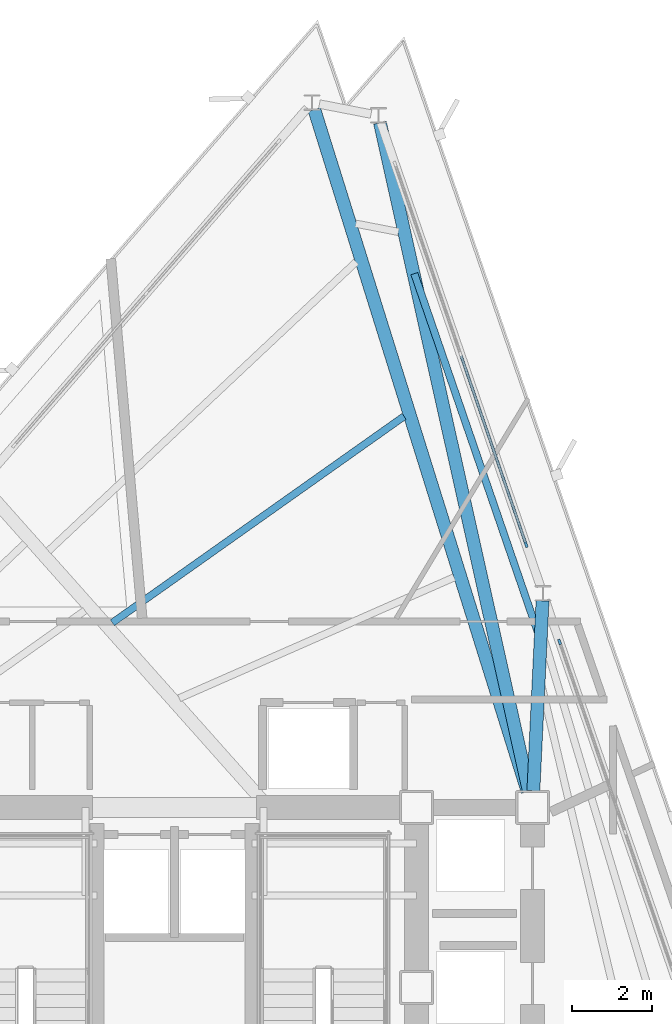
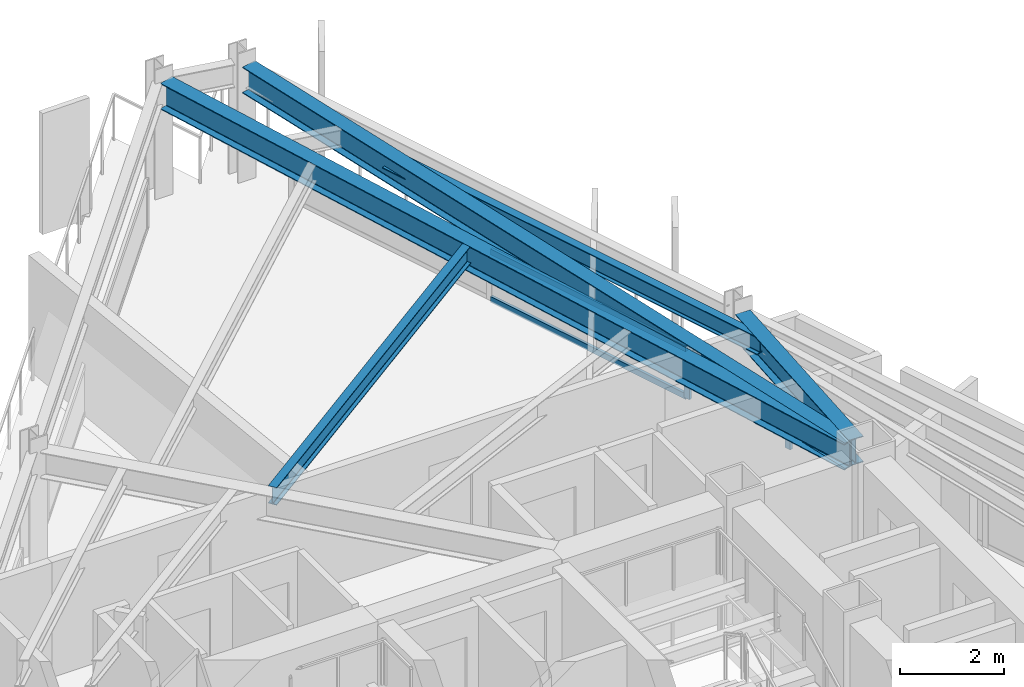
# One storey, part 5 of 14: 5 beams, 4 members, 2 elements without a shape of their own.
"""IFC4 building model written with IfcOpenShell, lengths in metres."""

from ifc_helpers import new_model, si_unit, direction, frame, origin, origin_2d, place, context, subcontext, project, spatial, rectangle, i_section, extrude, material, layer, layer_set, material_profile, profile_set, type_object, element, aggregate, save


model = new_model("IFC4")

# Units and contexts
model_context = context("Model", 3, precision=1e-05, world=origin(), true_north=direction((0.0, 1.0)))
body_context = subcontext(model_context, "Body", "Model", "MODEL_VIEW")
ifc_project = project(units=[si_unit("LENGTHUNIT", "METRE"), si_unit("AREAUNIT", "SQUARE_METRE"), si_unit("VOLUMEUNIT", "CUBIC_METRE"), si_unit("PLANEANGLEUNIT", "RADIAN"), si_unit("MASSUNIT", "GRAM", prefix="KILO")], contexts=[model_context])

# Site, building, storey
site_placement = place(None, origin())
site = spatial("IfcSite", under=ifc_project, at=site_placement, CompositionType="ELEMENT")
building_placement = place(site_placement, origin())
building = spatial("IfcBuilding", under=site, at=building_placement, Name="Rocaltana Carrier Exchange", CompositionType="ELEMENT")
storey_placement = place(building_placement, frame((0.0, 0.0, 168.47998046875)))
storey = spatial("IfcBuildingStorey", under=building, at=storey_placement, Name="L53", CompositionType="ELEMENT", Elevation=168.47998046875)

# Curtain wall, member
ifc_material_1 = material(Name="Aluminium 6063-T6", Category="aluminium")
ifc_layer = layer(ifc_material_1, 0.135009765625)
ifc_layer_set = layer_set([ifc_layer], Name="Aluminium 6063-T6")
curtain_wall_type = type_object("IfcCurtainWallType", Name="Upper-Mid Acoustic Curtain Wall CW-04", PredefinedType="NOTDEFINED", material=ifc_layer_set)
curtain_wall_1_placement = place(storey_placement, origin())
curtain_wall_1 = element("IfcCurtainWall", 1, at=curtain_wall_1_placement, inside=storey, type_object=curtain_wall_type, Name="L53 CW-04 Run CW-L53-F1S2", PredefinedType="NOTDEFINED")
ifc_material_2 = material(Name="Aluminium 6063-T6", Category="aluminium")
ifc_material_profile_1 = material_profile(ifc_material_2, rectangle(XDim=0.06494140625, YDim=0.135009765625, at=origin_2d()), Name="AL-65X135")
ifc_profile_set_1 = profile_set([ifc_material_profile_1], Name="Aluminium 6063-T6")
member_type_1 = type_object("IfcMemberType", Name="CW-04 Mullion AL-65X135", PredefinedType="MULLION", material=ifc_profile_set_1)
member_1_placement = place(storey_placement, frame((9.62548828125, 8.638671875, 0.0), z_axis=(0.0, 0.0, 1.0), x_axis=(-0.945520754562, -0.32556182622, 0.0)))
member_1 = element("IfcMember", 2, at=member_1_placement, type_object=member_type_1, Name="CW-04 mullion 3", PredefinedType="MULLION", context=body_context, shape_type="SweptSolid", body=[
    extrude(rectangle(XDim=0.06494140625, YDim=0.135009765625, at=origin_2d()), origin(), (0.0, 0.0, 1.0), 1.177978515625),
])
aggregate(curtain_wall_1, [member_1])

# Curtain wall, members
curtain_wall_2_placement = place(storey_placement, origin())
curtain_wall_2 = element("IfcCurtainWall", 3, at=curtain_wall_2_placement, inside=storey, type_object=curtain_wall_type, Name="L53 CW-04 Run CW-L53-F1S3", PredefinedType="NOTDEFINED")
member_2_placement = place(storey_placement, frame((8.79052734375, 11.063720703125, 0.0), z_axis=(0.0, 0.0, 1.0), x_axis=(-0.945521800517, -0.325558788464, 0.0)))
member_2 = element("IfcMember", 4, at=member_2_placement, type_object=member_type_1, Name="CW-04 mullion 1", PredefinedType="MULLION", context=body_context, shape_type="SweptSolid", body=[
    extrude(rectangle(XDim=0.06494140625, YDim=0.135009765625, at=origin_2d()), origin(), (0.0, 0.0, 1.0), 1.177978515625),
])
ifc_material_3 = material(Name="Aluminium 6063-T6", Category="aluminium")
ifc_material_profile_2 = material_profile(ifc_material_3, rectangle(XDim=0.06494140625, YDim=0.135009765625, at=origin_2d()), Name="AL-65X135")
ifc_profile_set_2 = profile_set([ifc_material_profile_2], Name="Aluminium 6063-T6")
member_type_2 = type_object("IfcMemberType", Name="CW-04 Transom AL-65X135", PredefinedType="USERDEFINED", material=ifc_profile_set_2)
member_3_placement = place(storey_placement, frame((8.77978515625, 11.094482421875, 0.032470703125), z_axis=(-0.325542462737, 0.945527421578, 0.0), x_axis=(-0.945527421578, -0.325542462737, 0.0)))
member_3 = element("IfcMember", 5, at=member_3_placement, type_object=member_type_2, Name="CW-04 transom 1.1", ObjectType="TRANSOM", PredefinedType="USERDEFINED", context=body_context, shape_type="SweptSolid", body=[
    extrude(rectangle(XDim=0.06494140625, YDim=0.135009765625, at=origin_2d()), origin(), (0.0, 0.0, 1.0), 4.96923828125),
])
member_4_placement = place(storey_placement, frame((8.77978515625, 11.094482421875, 1.1455078125), z_axis=(-0.325542462737, 0.945527421578, 0.0), x_axis=(-0.945527421578, -0.325542462737, 0.0)))
member_4 = element("IfcMember", 6, at=member_4_placement, type_object=member_type_2, Name="CW-04 transom 1.2", ObjectType="TRANSOM", PredefinedType="USERDEFINED", context=body_context, shape_type="SweptSolid", body=[
    extrude(rectangle(XDim=0.06494140625, YDim=0.135009765625, at=origin_2d()), origin(), (0.0, 0.0, 1.0), 4.96923828125),
])
aggregate(curtain_wall_2, [member_2, member_3, member_4])

# Beams
ifc_material_4 = material(Name="Steel S355", Category="steel")
ifc_material_profile_3 = material_profile(ifc_material_4, i_section(OverallWidth=0.179931640625, OverallDepth=0.4130859375, WebThickness=0.009765625, FlangeThickness=0.01611328125, FilletRadius=0.012939453125, at=origin_2d()), Name="W16X50")
ifc_profile_set_3 = profile_set([ifc_material_profile_3], Name="Steel S355")
beam_type_1 = type_object("IfcBeamType", Name="Floor Joist W16X50", PredefinedType="JOIST", material=ifc_profile_set_3)
beam_1_placement = place(storey_placement, frame((9.1005859375, 8.8212890625, 2.511474609375), z_axis=(-0.325576687482, 0.9455156374, 0.0), x_axis=(-0.9455156374, -0.325576687482, 0.0)))
element("IfcBeam", 7, at=beam_1_placement, inside=storey, type_object=beam_type_1, Name="FJ-L53-03-3", PredefinedType="JOIST", context=body_context, shape_type="SweptSolid", body=[
    extrude(i_section(OverallWidth=0.179931640625, OverallDepth=0.4130859375, WebThickness=0.009765625, FlangeThickness=0.01611328125, FilletRadius=0.012939453125, at=origin_2d()), origin(), (0.0, 0.0, 1.0), 9.5419921875),
])
beam_2_placement = place(storey_placement, frame((5.737548828125, 14.27587890625, 2.511474609375), z_axis=(-0.816285489074, -0.577648682443, 0.0), x_axis=(0.577648682443, -0.816285489074, 0.0)))
element("IfcBeam", 8, at=beam_2_placement, inside=storey, type_object=beam_type_1, Name="FJ-L53-05-2", PredefinedType="JOIST", context=body_context, shape_type="SweptSolid", body=[
    extrude(i_section(OverallWidth=0.179931640625, OverallDepth=0.4130859375, WebThickness=0.009765625, FlangeThickness=0.01611328125, FilletRadius=0.012939453125, at=origin_2d()), origin(), (0.0, 0.0, 1.0), 8.931396484375),
])
ifc_material_5 = material(Name="Steel S355", Category="steel")
ifc_material_profile_4 = material_profile(ifc_material_5, i_section(OverallWidth=0.323974609375, OverallDepth=0.611083984375, WebThickness=0.0126953125, FlangeThickness=0.01904296875, FilletRadius=0.01611328125, at=origin_2d()), Name="W24X104")
ifc_profile_set_4 = profile_set([ifc_material_profile_4], Name="Steel S355")
beam_type_2 = type_object("IfcBeamType", Name="Radial Girder W24X104", PredefinedType="BEAM", material=ifc_profile_set_4)
beam_3_placement = place(storey_placement, frame((8.97021484375, 4.91650390625, 2.41259765625), z_axis=(0.048160355741, 0.998839616823, 0.0), x_axis=(-0.998839616823, 0.048160355741, 0.0)))
element("IfcBeam", 9, at=beam_3_placement, inside=storey, type_object=beam_type_2, Name="RG-L53-03", PredefinedType="BEAM", context=body_context, shape_type="SweptSolid", body=[
    extrude(i_section(OverallWidth=0.323974609375, OverallDepth=0.611083984375, WebThickness=0.0126953125, FlangeThickness=0.01904296875, FilletRadius=0.01611328125, at=origin_2d()), origin(), (0.0, 0.0, 1.0), 4.755126953125),
])
beam_4_placement = place(storey_placement, frame((8.859375, 4.906982421875, 2.41259765625), z_axis=(-0.21753898555, 0.976051632736, 0.0), x_axis=(-0.976051632736, -0.21753898555, 0.0)))
element("IfcBeam", 10, at=beam_4_placement, inside=storey, type_object=beam_type_2, Name="RG-L53-04", PredefinedType="BEAM", context=body_context, shape_type="SweptSolid", body=[
    extrude(i_section(OverallWidth=0.323974609375, OverallDepth=0.611083984375, WebThickness=0.0126953125, FlangeThickness=0.01904296875, FilletRadius=0.01611328125, at=origin_2d()), origin(), (0.0, 0.0, 1.0), 17.1181640625),
])
beam_5_placement = place(storey_placement, frame((8.825439453125, 4.89794921875, 2.41259765625), z_axis=(-0.298436914473, 0.954429362541, 0.0), x_axis=(-0.954429362541, -0.298436914473, 0.0)))
element("IfcBeam", 11, at=beam_5_placement, inside=storey, type_object=beam_type_2, Name="RG-L53-05", PredefinedType="BEAM", context=body_context, shape_type="SweptSolid", body=[
    extrude(i_section(OverallWidth=0.323974609375, OverallDepth=0.611083984375, WebThickness=0.0126953125, FlangeThickness=0.01904296875, FilletRadius=0.01611328125, at=origin_2d()), origin(), (0.0, 0.0, 1.0), 17.856689453125),
])

save(model, "model.ifc")
